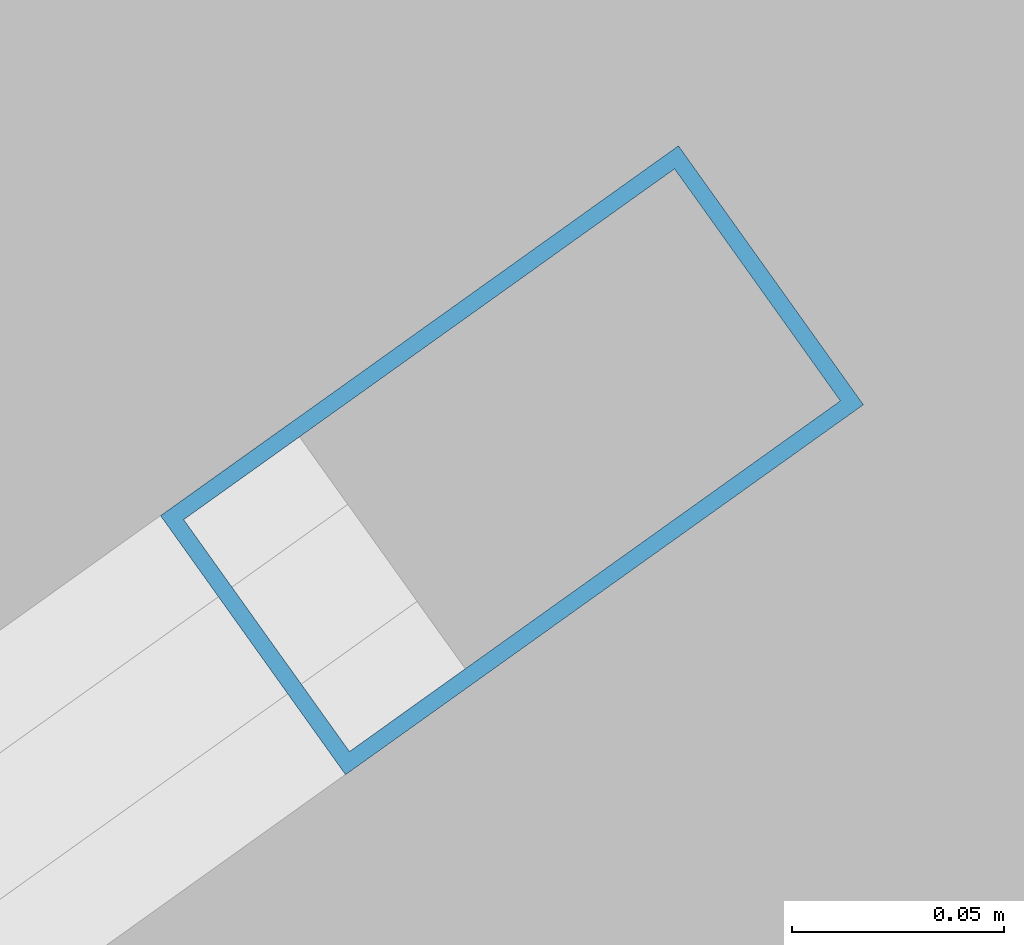
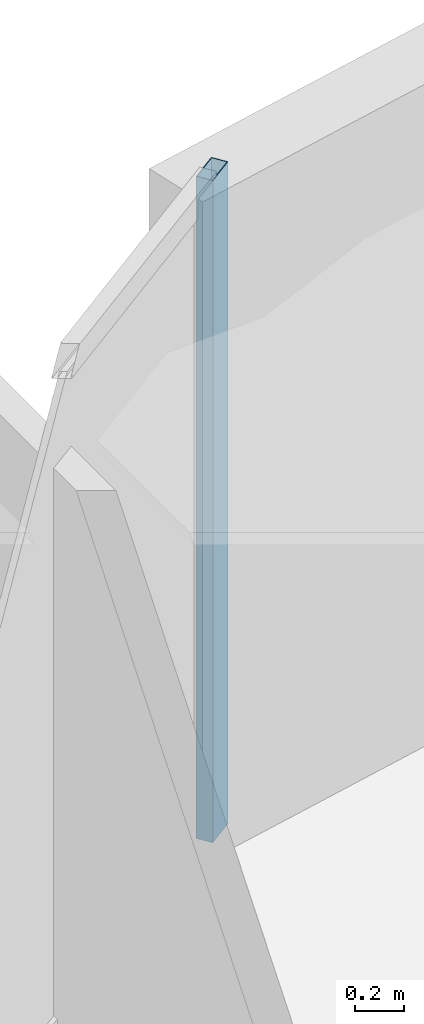
# One storey, part 19 of 33: 1 member, 1 element without a shape of its own.
"""IFC4 building model written with IfcOpenShell, lengths in metres."""

from ifc_helpers import new_model, si_unit, direction, frame, origin, origin_2d, place, context, subcontext, project, spatial, hollow_rectangle, extrude, material, layer, layer_set, material_profile, profile_set, type_object, element, aggregate, save


model = new_model("IFC4")

# Units and contexts
model_context = context("Model", 3, precision=1e-05, world=origin(), true_north=direction((0.0, 1.0)))
body_context = subcontext(model_context, "Body", "Model", "MODEL_VIEW")
ifc_project = project(units=[si_unit("LENGTHUNIT", "METRE"), si_unit("AREAUNIT", "SQUARE_METRE"), si_unit("VOLUMEUNIT", "CUBIC_METRE"), si_unit("PLANEANGLEUNIT", "RADIAN"), si_unit("MASSUNIT", "GRAM", prefix="KILO")], contexts=[model_context])

# Site, building, storey
site_placement = place(None, origin())
site = spatial("IfcSite", under=ifc_project, at=site_placement, CompositionType="ELEMENT")
building_placement = place(site_placement, origin())
building = spatial("IfcBuilding", under=site, at=building_placement, Name="Kazevale Care Tower and Concert Hall", CompositionType="ELEMENT")
storey_placement = place(building_placement, frame((0.0, 0.0, 178.199951171875)))
storey = spatial("IfcBuildingStorey", under=building, at=storey_placement, Name="L47", CompositionType="ELEMENT", Elevation=178.199951171875)

# Curtain wall, member
ifc_material_1 = material(Name="Aluminium 6063-T6 and Low-E Glass", Category="aluminium")
ifc_layer = layer(ifc_material_1, 0.179931640625)
ifc_layer_set = layer_set([ifc_layer], Name="Aluminium 6063-T6 and Low-E Glass")
curtain_wall_type = type_object("IfcCurtainWallType", Name="Convex Recessed Sunroom Curtain Wall CW-3", PredefinedType="NOTDEFINED", material=ifc_layer_set)
curtain_wall_placement = place(storey_placement, origin())
curtain_wall = element("IfcCurtainWall", 1, at=curtain_wall_placement, inside=storey, type_object=curtain_wall_type, Name="cw:L47:f14", PredefinedType="NOTDEFINED")
ifc_material_2 = material(Name="Aluminium 6063-T6", Category="aluminium")
ifc_material_profile = material_profile(ifc_material_2, hollow_rectangle(XDim=0.074951171875, YDim=0.14990234375, WallThickness=0.00390625, at=origin_2d()), Name="ALU75x150x4")
ifc_profile_set = profile_set([ifc_material_profile], Name="Aluminium 6063-T6")
member_type = type_object("IfcMemberType", Name="CW-3 Mullion ALU75x150x4", PredefinedType="MULLION", material=ifc_profile_set)
member_placement = place(storey_placement, frame((26.70947265625, 60.662109375, 0.0), z_axis=(0.0, 0.0, 1.0), x_axis=(-0.58132396176, 0.813672201494, 0.0)))
member = element("IfcMember", 2, at=member_placement, type_object=member_type, Name="CW-3 mullion 2", PredefinedType="MULLION", context=body_context, shape_type="SweptSolid", body=[
    extrude(hollow_rectangle(XDim=0.074951171875, YDim=0.14990234375, WallThickness=0.00390625, at=origin_2d()), origin(), (0.0, 0.0, 1.0), 3.280029296875),
])
aggregate(curtain_wall, [member])

save(model, "model.ifc")
